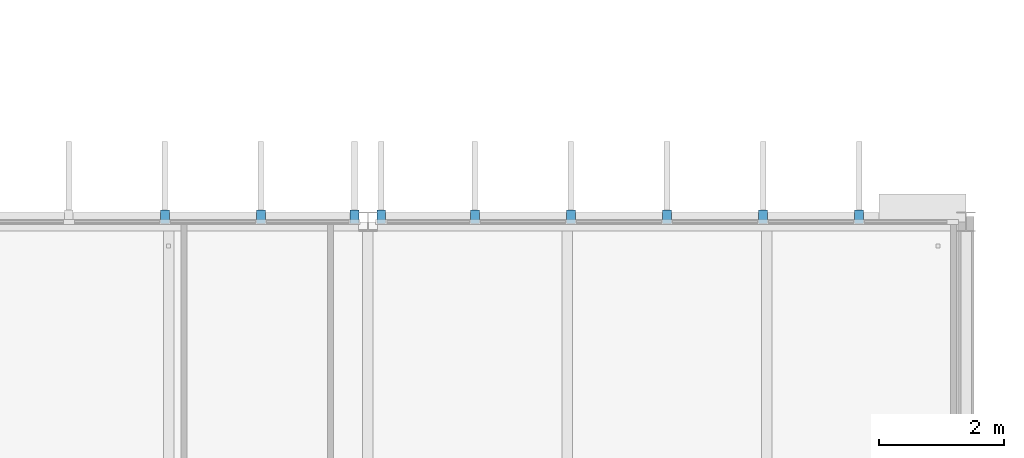
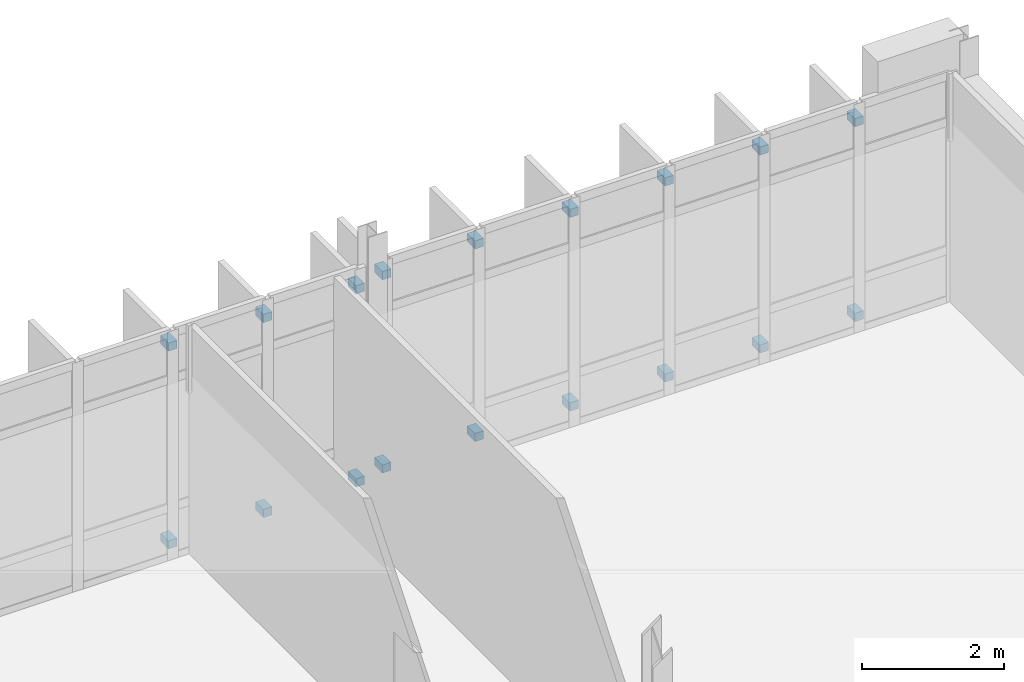
# One storey, part 98 of 110: 18 discrete accessories.
"""IFC4 building model written with IfcOpenShell, lengths in metres."""

import ifcopenshell
import ifcopenshell.guid

model = None  # the IFC model being written
_history = None  # IfcOwnerHistory: only IFC2X3 demands one
_inside = {}  # id of a spatial element -> (the spatial element, [elements in it])
_under = {}  # id of a project, library or spatial element -> (it, [spatial elements below it])
_declared = {}  # id of a project -> (the project, [libraries it declares])
_typed = {}  # id of a type object -> (the type object, [elements of that type])
_made_of = {}  # id of a material, layer set ... -> (it, [elements and type objects made of it])


def new_model(schema):
    """Start an empty IFC model of exactly this schema.

    Asked for "IFC4X3", IfcOpenShell would pick the latest addendum, in which some entities
    have other attributes; the version numbers below select the first issue.
    IFC2X3 requires an IfcOwnerHistory on every rooted entity: one is made here for all.
    """
    global model, _history
    if schema == "IFC4X3":
        model = ifcopenshell.file(schema_version=(4, 3, 0, 0))
    else:
        model = ifcopenshell.file(schema=schema)
    _inside.clear()
    _under.clear()
    _declared.clear()
    _typed.clear()
    _made_of.clear()
    _history = None
    if model.schema == "IFC2X3":
        org = make("IfcOrganization", Name="unknown")
        user = make(
            "IfcPersonAndOrganization",
            ThePerson=make("IfcPerson", FamilyName="unknown"),
            TheOrganization=org,
        )
        app = make(
            "IfcApplication",
            ApplicationDeveloper=org,
            Version="unknown",
            ApplicationFullName="unknown",
            ApplicationIdentifier="unknown",
        )
        _history = make(
            "IfcOwnerHistory",
            OwningUser=user,
            OwningApplication=app,
            ChangeAction="ADDED",
            CreationDate=0,
        )
    return model


def make(cls, **values):
    """One entity of the class cls with the attributes given. An attribute that is None is left unset."""
    return model.create_entity(
        cls, **{name: value for name, value in values.items() if value is not None}
    )


def rooted(cls, **values):
    """An entity with a GlobalId (a new one), such as an element, a storey or a relation."""
    return make(cls, GlobalId=ifcopenshell.guid.new(), OwnerHistory=_history, **values)


def si_unit(unit_type, name, prefix=None):
    """IfcSIUnit, for example si_unit("LENGTHUNIT", "METRE", prefix="MILLI")."""
    return make("IfcSIUnit", UnitType=unit_type, Prefix=prefix, Name=name)


def assignment(units):
    """IfcUnitAssignment: the units of a project."""
    return None if units is None else make("IfcUnitAssignment", Units=units)


def point(xyz):
    """IfcCartesianPoint."""
    return None if xyz is None else make("IfcCartesianPoint", Coordinates=xyz)


def direction(xyz):
    """IfcDirection."""
    return None if xyz is None else make("IfcDirection", DirectionRatios=xyz)


def frame(location, z_axis=None, x_axis=None):
    """IfcAxis2Placement3D, a coordinate frame: its origin and axes. An axis left out is left unset."""
    return make(
        "IfcAxis2Placement3D",
        Location=point(location),
        Axis=direction(z_axis),
        RefDirection=direction(x_axis),
    )


def frame_2d(location, x_axis=None):
    """IfcAxis2Placement2D, a coordinate frame in the plane: its origin and x axis."""
    return make(
        "IfcAxis2Placement2D", Location=point(location), RefDirection=direction(x_axis)
    )


def origin():
    """The frame at (0, 0, 0) with its axes left unset."""
    return frame((0.0, 0.0, 0.0))


def origin_2d():
    """The frame at (0, 0) in the plane with its x axis left unset."""
    return frame_2d((0.0, 0.0))


def place(relative_to, where):
    """IfcLocalPlacement: puts the frame where relative to a parent placement (None: the world)."""
    return make(
        "IfcLocalPlacement", PlacementRelTo=relative_to, RelativePlacement=where
    )


def context(
    kind, dimensions, precision=None, world=None, true_north=None, identifier=None
):
    """IfcGeometricRepresentationContext, for example the 3D "Model" context."""
    return make(
        "IfcGeometricRepresentationContext",
        ContextIdentifier=identifier,
        ContextType=kind,
        CoordinateSpaceDimension=dimensions,
        Precision=precision,
        WorldCoordinateSystem=world,
        TrueNorth=true_north,
    )


def subcontext(parent, identifier, kind, view, scale=None):
    """IfcGeometricRepresentationSubContext, for example "Body" below "Model"."""
    return make(
        "IfcGeometricRepresentationSubContext",
        ContextIdentifier=identifier,
        ContextType=kind,
        ParentContext=parent,
        TargetScale=scale,
        TargetView=view,
    )


def project(units=None, contexts=None):
    """IfcProject with its units and contexts."""
    return rooted(
        "IfcProject",
        Name="project",
        RepresentationContexts=contexts,
        UnitsInContext=assignment(units),
    )


def spatial(cls, under=None, at=None, **own):
    """A site, building, storey or space (cls), placed at a placement, below another one or the project."""
    s = rooted(cls, ObjectPlacement=at, **own)
    if under is not None:
        _under.setdefault(under.id(), (under, []))[1].append(s)
    return s


def profile(cls, at=None, kind="AREA", **sizes):
    """A parametric profile (cls). Its sizes go by their IFC names, for example OverallWidth=200.0."""
    return make(cls, ProfileType=kind, Position=at, **sizes)


def rectangle(**sizes):
    """IfcRectangleProfileDef."""
    return profile("IfcRectangleProfileDef", **sizes)


def extrude(swept, where, along, depth):
    """IfcExtrudedAreaSolid: the profile swept, set in the frame where, extruded along a direction by depth."""
    return make(
        "IfcExtrudedAreaSolid",
        SweptArea=swept,
        Position=where,
        ExtrudedDirection=direction(along),
        Depth=depth,
    )


def shape(context_of_items, identifier, shape_type, items):
    """IfcShapeRepresentation: the items that make up one representation, for example the "Body"."""
    return make(
        "IfcShapeRepresentation",
        ContextOfItems=context_of_items,
        RepresentationIdentifier=identifier,
        RepresentationType=shape_type,
        Items=items,
    )


def material(Name=None, Category=None):
    """IfcMaterial."""
    return make("IfcMaterial", Name=Name, Category=Category)


def made_of(thing, what):
    """Note that an element or type object is made of a material, layer set ...; save() writes the relation."""
    if what is not None:
        _made_of.setdefault(what.id(), (what, []))[1].append(thing)
    return thing


def type_object(cls, material=None, **own):
    """A type object (cls), such as IfcWallType, which elements share."""
    return made_of(rooted(cls, **own), material)


def element(
    cls,
    number,
    at=None,
    inside=None,
    cuts=None,
    type_object=None,
    material=None,
    context=None,
    identifier="Body",
    shape_type=None,
    held_by="IfcProductDefinitionShape",
    body=None,
    shapes=None,
    **own,
):
    """One element of the class cls, such as IfcWall. Its Tag is "e" and its number.

    at: its placement. inside: the storey or other place that contains it. cuts: it is an
    opening in that element (IfcRelVoidsElement). A single representation is given by context,
    identifier, shape_type and body (its items); several are given by shapes. held_by: the class
    of the entity that holds the representations. save() writes the other relations.
    """
    e = rooted(cls, Tag="e%d" % number, ObjectPlacement=at, **own)
    if body is not None:
        shapes = [shape(context, identifier, shape_type, body)]
    if shapes is not None:
        e.Representation = make(held_by, Representations=shapes)
    if inside is not None:
        _inside.setdefault(inside.id(), (inside, []))[1].append(e)
    if cuts is not None:
        rooted(
            "IfcRelVoidsElement", RelatingBuildingElement=cuts, RelatedOpeningElement=e
        )
    if type_object is not None:
        _typed.setdefault(type_object.id(), (type_object, []))[1].append(e)
    return made_of(e, material)


def aggregate(whole, parts):
    """IfcRelAggregates: a whole, such as a stair, and the parts it consists of."""
    return rooted("IfcRelAggregates", RelatingObject=whole, RelatedObjects=parts)


def save(model, path):
    """Write the relations noted so far, then the file.

    IfcRelAggregates (storeys below a building ...), IfcRelContainedInSpatialStructure (elements
    in a storey), IfcRelDefinesByType, IfcRelAssociatesMaterial and IfcRelDeclares: one each for
    every whole, place, type object, material and project.
    """
    for whole, parts in _under.values():
        aggregate(whole, parts)
    for where, things in _inside.values():
        rooted(
            "IfcRelContainedInSpatialStructure",
            RelatedElements=things,
            RelatingStructure=where,
        )
    for kind, things in _typed.values():
        rooted("IfcRelDefinesByType", RelatedObjects=things, RelatingType=kind)
    for what, things in _made_of.values():
        rooted("IfcRelAssociatesMaterial", RelatedObjects=things, RelatingMaterial=what)
    for by, libraries in _declared.values():
        rooted("IfcRelDeclares", RelatingContext=by, RelatedDefinitions=libraries)
    model.write(path)


model = new_model("IFC4")

# Units and contexts
model_context = context("Model", 3, precision=1e-05, world=origin(), true_north=direction((0.0, 1.0)))
body_context = subcontext(model_context, "Body", "Model", "MODEL_VIEW")
ifc_project = project(units=[si_unit("LENGTHUNIT", "METRE"), si_unit("AREAUNIT", "SQUARE_METRE"), si_unit("VOLUMEUNIT", "CUBIC_METRE"), si_unit("PLANEANGLEUNIT", "RADIAN"), si_unit("MASSUNIT", "GRAM", prefix="KILO")], contexts=[model_context])

# Site, building, storey
site_placement = place(None, origin())
site = spatial("IfcSite", under=ifc_project, at=site_placement, CompositionType="ELEMENT")
building_placement = place(site_placement, origin())
building = spatial("IfcBuilding", under=site, at=building_placement, Name="Dunescarp Central Library", CompositionType="ELEMENT")
storey_placement = place(building_placement, frame((0.0, 0.0, 9.60009765625)))
storey = spatial("IfcBuildingStorey", under=building, at=storey_placement, Name="L02", CompositionType="ELEMENT", Elevation=9.60009765625)

# Discrete accessories
ifc_material = material(Name="Stainless steel Grade 316L", Category="steel")
discrete_accessory_type = type_object("IfcDiscreteAccessoryType", Name="ARC-ACC-BRK", PredefinedType="BRACKET", material=ifc_material)
for number, where, z_axis, x_axis, name in (
    (1, (63.94189453125, 36.8798828125, 0.18994140625), (0.0, 0.0, 1.0), (0.0, 1.0, 0.0), "Fin bracket BRK-FIN-L02-0415-B"),
    (2, (63.94189453125, 36.8798828125, 3.583984375), (0.0, 0.0, 1.0), (0.0, 1.0, 0.0), "Fin bracket BRK-FIN-L02-0415-T"),
    (3, (65.48291015625, 36.8798828125, 0.18994140625), (0.0, 0.0, 1.0), (0.0, 1.0, 0.0), "Fin bracket BRK-FIN-L02-0416-B"),
    (4, (65.48291015625, 36.8798828125, 3.5341796875), (0.0, 0.0, 1.0), (0.0, 1.0, 0.0), "Fin bracket BRK-FIN-L02-0416-T"),
    (5, (66.985107421875, 36.8798828125, 0.18994140625), (0.0, 0.0, 1.0), (0.0, 1.0, 0.0), "Fin bracket BRK-FIN-L02-0417-B"),
    (6, (66.985107421875, 36.8798828125, 3.5009765625), (0.0, 0.0, 1.0), (0.0, 1.0, 0.0), "Fin bracket BRK-FIN-L02-0417-T"),
    (7, (67.4150390625, 36.8798828125, 0.27685546875), (0.0, 0.0, 1.0), (0.0, 1.0, 0.0), "Fin bracket BRK-FIN-L02-0418-B"),
    (8, (67.4150390625, 36.8798828125, 3.5947265625), (0.0, 0.0, 1.0), (0.0, 1.0, 0.0), "Fin bracket BRK-FIN-L02-0418-T"),
    (9, (68.9169921875, 36.8798828125, 0.2900390625), (0.0, 0.0, 1.0), (0.0, 1.0, 0.0), "Fin bracket BRK-FIN-L02-0419-B"),
    (10, (68.9169921875, 36.8798828125, 3.5947265625), (0.0, 0.0, 1.0), (0.0, 1.0, 0.0), "Fin bracket BRK-FIN-L02-0419-T"),
    (11, (70.4580078125, 36.8798828125, 0.27392578125), (0.0, 0.0, 1.0), (0.0, 1.0, 0.0), "Fin bracket BRK-FIN-L02-0420-B"),
    (12, (70.4580078125, 36.8798828125, 3.5947265625), (0.0, 0.0, 1.0), (0.0, 1.0, 0.0), "Fin bracket BRK-FIN-L02-0420-T"),
    (13, (72.0, 36.8798828125, 0.23291015625), (0.0, 0.0, 1.0), (0.0, 1.0, 0.0), "Fin bracket BRK-FIN-L02-0421-B"),
    (14, (72.0, 36.8798828125, 3.5947265625), (0.0, 0.0, 1.0), (0.0, 1.0, 0.0), "Fin bracket BRK-FIN-L02-0421-T"),
    (15, (73.5419921875, 36.8798828125, 0.18994140625), (0.0, 0.0, 1.0), (0.0, 1.0, 0.0), "Fin bracket BRK-FIN-L02-0422-B"),
    (16, (73.5419921875, 36.8798828125, 3.583984375), (0.0, 0.0, 1.0), (0.0, 1.0, 0.0), "Fin bracket BRK-FIN-L02-0422-T"),
    (17, (75.0830078125, 36.8798828125, 0.18994140625), (0.0, 0.0, 1.0), (0.0, 1.0, 0.0), "Fin bracket BRK-FIN-L02-0423-B"),
    (18, (75.0830078125, 36.8798828125, 3.5341796875), (0.0, 0.0, 1.0), (0.0, 1.0, 0.0), "Fin bracket BRK-FIN-L02-0423-T"),
):
    element("IfcDiscreteAccessory", number, at=place(storey_placement, frame(where, z_axis=z_axis, x_axis=x_axis)), inside=storey, type_object=discrete_accessory_type, Name=name, PredefinedType="BRACKET", context=body_context, shape_type="SweptSolid", body=[
        extrude(rectangle(XDim=0.219970703125, YDim=0.139892578125, at=origin_2d()), origin(), (0.0, 0.0, 1.0), 0.139892578125),
    ])

save(model, "model.ifc")
